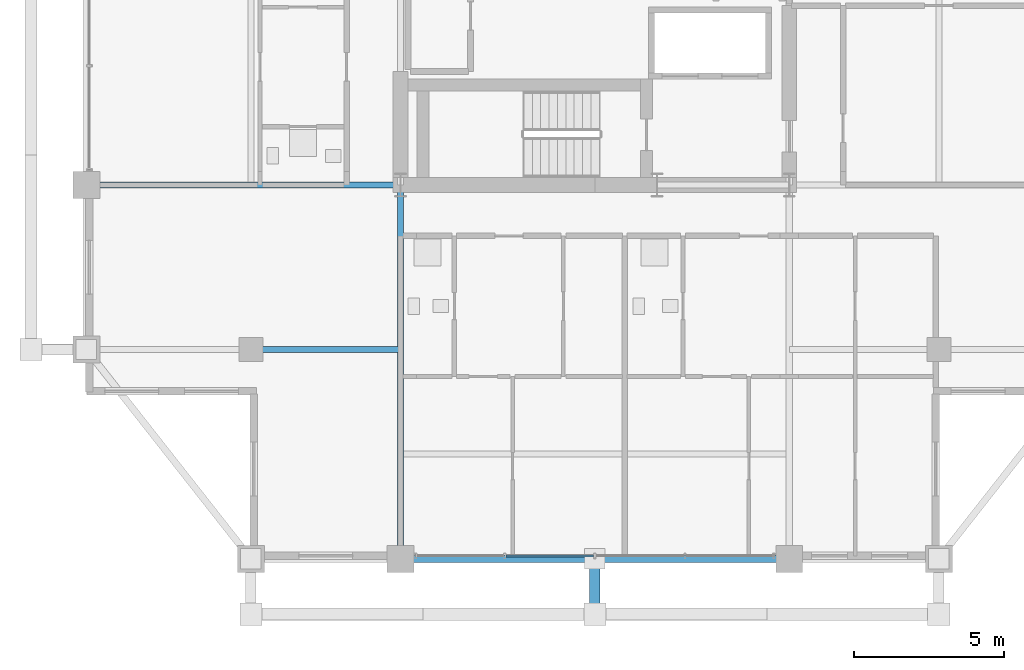
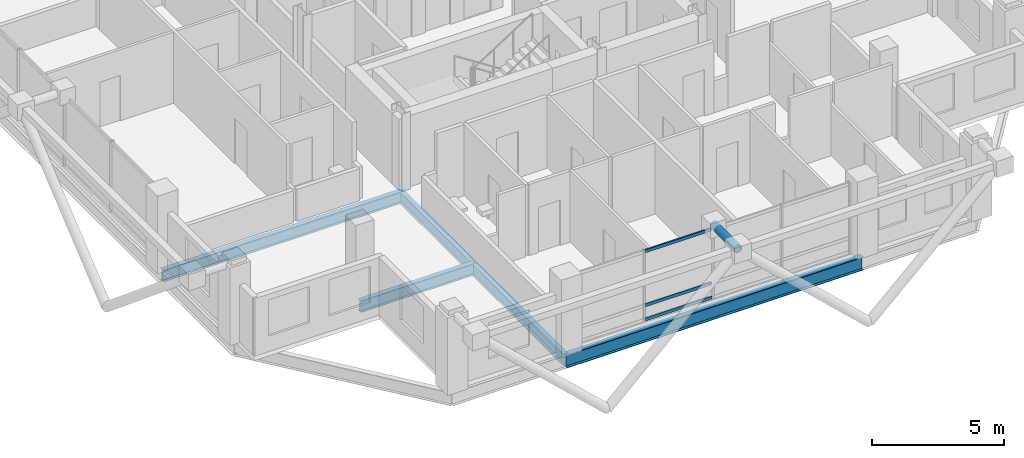
# One storey, part 4 of 25: 4 beams, 4 members, 1 element without a shape of its own.
"""IFC4 building model written with IfcOpenShell, lengths in metres."""

from ifc_helpers import new_model, si_unit, direction, frame, origin, origin_2d, place, context, subcontext, project, spatial, hollow_rectangle, hollow_circle, i_section, extrude, material, layer, layer_set, material_profile, profile_set, type_object, element, aggregate, save


model = new_model("IFC4")

# Units and contexts
model_context = context("Model", 3, precision=1e-05, world=origin(), true_north=direction((0.0, 1.0)))
body_context = subcontext(model_context, "Body", "Model", "MODEL_VIEW")
ifc_project = project(units=[si_unit("LENGTHUNIT", "METRE"), si_unit("AREAUNIT", "SQUARE_METRE"), si_unit("VOLUMEUNIT", "CUBIC_METRE"), si_unit("PLANEANGLEUNIT", "RADIAN"), si_unit("MASSUNIT", "GRAM", prefix="KILO")], contexts=[model_context])

# Site, building, storey
site_placement = place(None, origin())
site = spatial("IfcSite", under=ifc_project, at=site_placement, CompositionType="ELEMENT")
building_placement = place(site_placement, origin())
building = spatial("IfcBuilding", under=site, at=building_placement, Name="Barlavira Tower and Art Museum", CompositionType="ELEMENT")
storey_placement = place(building_placement, frame((0.0, 0.0, 301.5)))
storey = spatial("IfcBuildingStorey", under=building, at=storey_placement, Name="L79", CompositionType="ELEMENT", Elevation=301.5)

# Curtain wall, members
ifc_material_1 = material(Name="Low-iron coastal laminated glass", Category="glass")
ifc_layer = layer(ifc_material_1, 0.2099609375, Name="Low-iron coastal laminated glass")
ifc_layer_set = layer_set([ifc_layer], Name="Low-iron coastal laminated glass")
curtain_wall_type = type_object("IfcCurtainWallType", Name="Pale-Metal Unitised Curtain Wall Zone 4", PredefinedType="NOTDEFINED", material=ifc_layer_set)
curtain_wall_placement = place(storey_placement, origin())
curtain_wall = element("IfcCurtainWall", 1, at=curtain_wall_placement, inside=storey, type_object=curtain_wall_type, Name="L79 Curtain Wall CW4-L79-S-B2", PredefinedType="NOTDEFINED")
ifc_material_2 = material(Name="Pale anodised aluminium", Category="aluminium")
ifc_material_profile_1 = material_profile(ifc_material_2, hollow_rectangle(XDim=0.06494140625, YDim=0.139892578125, WallThickness=0.00390625, at=origin_2d()), Name="ALU-TRAN 65x140x4")
ifc_profile_set_1 = profile_set([ifc_material_profile_1], Name="Pale anodised aluminium")
member_type_1 = type_object("IfcMemberType", Name="Curtain Wall Pale-Metal Transom 65x140", PredefinedType="USERDEFINED", material=ifc_profile_set_1)
member_1_placement = place(storey_placement, frame((-2.969970703125, -19.89990234375, 0.070068359375), z_axis=(1.0, 0.0, 0.0), x_axis=(0.0, 1.0, 0.0)))
member_1 = element("IfcMember", 2, at=member_1_placement, type_object=member_type_1, Name="CW4-L79-S-B2 Transom 1.1", ObjectType="TRANSOM", PredefinedType="USERDEFINED", context=body_context, shape_type="SweptSolid", body=[
    extrude(hollow_rectangle(XDim=0.06494140625, YDim=0.139892578125, WallThickness=0.00390625, at=origin_2d()), origin(), (0.0, 0.0, 1.0), 2.925048828125),
])
member_2_placement = place(storey_placement, frame((-2.969970703125, -19.89990234375, 0.72607421875), z_axis=(1.0, 0.0, 0.0), x_axis=(0.0, 1.0, 0.0)))
member_2 = element("IfcMember", 3, at=member_2_placement, type_object=member_type_1, Name="CW4-L79-S-B2 Transom 1.2", ObjectType="TRANSOM", PredefinedType="USERDEFINED", context=body_context, shape_type="SweptSolid", body=[
    extrude(hollow_rectangle(XDim=0.06494140625, YDim=0.139892578125, WallThickness=0.00390625, at=origin_2d()), origin(), (0.0, 0.0, 1.0), 2.925048828125),
])
member_3_placement = place(storey_placement, frame((-2.969970703125, -19.89990234375, 3.22998046875), z_axis=(1.0, 0.0, 0.0), x_axis=(0.0, 1.0, 0.0)))
member_3 = element("IfcMember", 4, at=member_3_placement, type_object=member_type_1, Name="CW4-L79-S-B2 Transom 1.3", ObjectType="TRANSOM", PredefinedType="USERDEFINED", context=body_context, shape_type="SweptSolid", body=[
    extrude(hollow_rectangle(XDim=0.06494140625, YDim=0.139892578125, WallThickness=0.00390625, at=origin_2d()), origin(), (0.0, 0.0, 1.0), 2.925048828125),
])
aggregate(curtain_wall, [member_1, member_2, member_3])

# Member
ifc_material_3 = material(Name="Steel S355", Category="steel")
ifc_material_profile_2 = material_profile(ifc_material_3, hollow_circle(Radius=0.177734375, WallThickness=0.01611328125, at=origin_2d()), Name="CHS 355.6x16.0")
ifc_profile_set_2 = profile_set([ifc_material_profile_2], Name="Steel S355")
member_type_2 = type_object("IfcMemberType", Name="Pale-Metal Exoskeleton Tie Strut CHS 356x16 Steel S355", PredefinedType="STRUT", material=ifc_profile_set_2)
member_4_placement = place(storey_placement, frame((0.0, -21.85009765625, 3.47998046875), z_axis=(0.0, 1.0, 0.0), x_axis=(-1.0, 0.0, 0.0)))
element("IfcMember", 5, at=member_4_placement, inside=storey, type_object=member_type_2, Name="L79 Exoskeleton Top Tie Strut S2", PredefinedType="STRUT", context=body_context, shape_type="SweptSolid", body=[
    extrude(hollow_circle(Radius=0.177734375, WallThickness=0.01611328125, at=origin_2d()), origin(), (0.0, 0.0, 1.0), 1.85009765625),
])

# Beams
ifc_material_profile_3 = material_profile(ifc_material_3, i_section(OverallWidth=0.22998046875, OverallDepth=0.616943359375, WebThickness=0.01318359375, FlangeThickness=0.022216796875, at=origin_2d()), Name="W610x140.0")
ifc_profile_set_3 = profile_set([ifc_material_profile_3], Name="Steel S355")
beam_type_1 = type_object("IfcBeamType", Name="Upper Shaft Spandrel Edge Beam W610x140 Steel S355", PredefinedType="SPANDREL", material=ifc_profile_set_3)
beam_1_placement = place(storey_placement, frame((-6.5, -20.0, -0.528564453125), z_axis=(1.0, 0.0, 0.0), x_axis=(0.0, 1.0, 0.0)))
element("IfcBeam", 6, at=beam_1_placement, inside=storey, type_object=beam_type_1, Name="L79 Spandrel 2", PredefinedType="SPANDREL", context=body_context, shape_type="SweptSolid", body=[
    extrude(i_section(OverallWidth=0.22998046875, OverallDepth=0.616943359375, WebThickness=0.01318359375, FlangeThickness=0.022216796875, at=origin_2d()), origin(), (0.0, 0.0, 1.0), 13.0),
])
ifc_material_profile_4 = material_profile(ifc_material_3, i_section(OverallWidth=0.2109375, OverallDepth=0.5390625, WebThickness=0.01171875, FlangeThickness=0.018798828125, at=origin_2d()), Name="W530x109.0")
ifc_profile_set_4 = profile_set([ifc_material_profile_4], Name="Steel S355")
beam_type_2 = type_object("IfcBeamType", Name="Zone 3-4 Primary Floor Girder W530x109 Steel S355", PredefinedType="BEAM", material=ifc_profile_set_4)
beam_2_placement = place(storey_placement, frame((-6.5, -20.0, -0.489501953125), z_axis=(0.0, 1.0, 0.0), x_axis=(-1.0, 0.0, 0.0)))
element("IfcBeam", 7, at=beam_2_placement, inside=storey, type_object=beam_type_2, Name="L79 Girder R-S1", PredefinedType="BEAM", context=body_context, shape_type="SweptSolid", body=[
    extrude(i_section(OverallWidth=0.2109375, OverallDepth=0.5390625, WebThickness=0.01171875, FlangeThickness=0.018798828125, at=origin_2d()), origin(), (0.0, 0.0, 1.0), 12.5),
])
beam_3_placement = place(storey_placement, frame((-17.0, -7.5, -0.489501953125), z_axis=(1.0, 0.0, 0.0), x_axis=(0.0, 1.0, 0.0)))
element("IfcBeam", 8, at=beam_3_placement, inside=storey, type_object=beam_type_2, Name="L79 Girder R-W1", PredefinedType="BEAM", context=body_context, shape_type="SweptSolid", body=[
    extrude(i_section(OverallWidth=0.2109375, OverallDepth=0.5390625, WebThickness=0.01171875, FlangeThickness=0.018798828125, at=origin_2d()), origin(), (0.0, 0.0, 1.0), 10.5),
])
beam_4_placement = place(storey_placement, frame((-11.5, -13.0, -0.489501953125), z_axis=(1.0, 0.0, 0.0), x_axis=(0.0, 1.0, 0.0)))
element("IfcBeam", 9, at=beam_4_placement, inside=storey, type_object=beam_type_2, Name="L79 Girder I-S2", PredefinedType="BEAM", context=body_context, shape_type="SweptSolid", body=[
    extrude(i_section(OverallWidth=0.2109375, OverallDepth=0.5390625, WebThickness=0.01171875, FlangeThickness=0.018798828125, at=origin_2d()), origin(), (0.0, 0.0, 1.0), 5.0),
])

save(model, "model.ifc")
